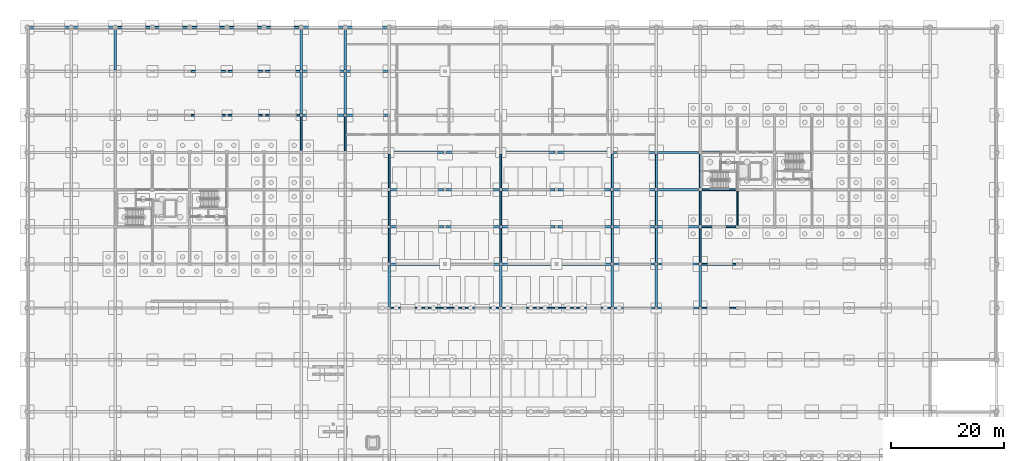
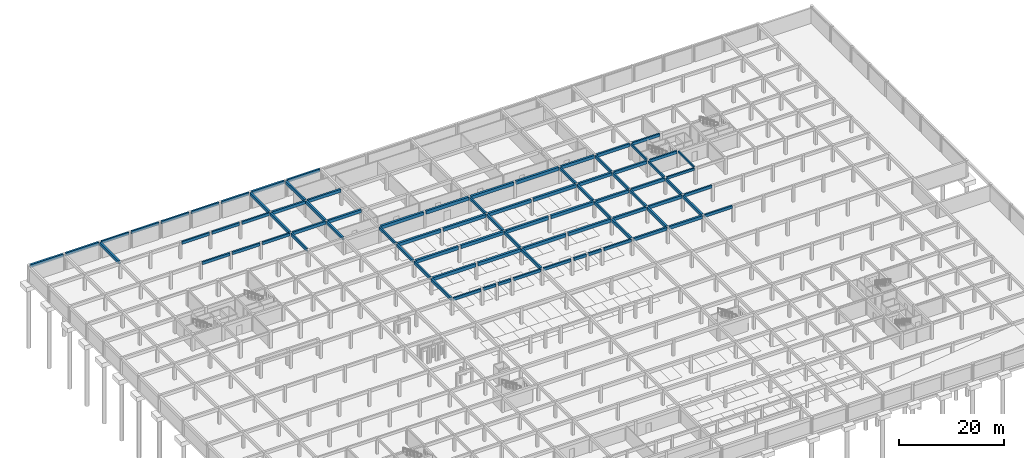
# One storey, part 19 of 37: 86 beams.
"""IFC4 building model written with IfcOpenShell, lengths in metres."""

from ifc_helpers import new_model, si_unit, direction, frame, origin, origin_2d, place, context, subcontext, project, spatial, rectangle, extrude, material, material_profile, profile_set, type_object, element, save


model = new_model("IFC4")

# Units and contexts
model_context = context("Model", 3, precision=1e-05, world=origin(), true_north=direction((0.0, 1.0)))
body_context = subcontext(model_context, "Body", "Model", "MODEL_VIEW")
ifc_project = project(units=[si_unit("LENGTHUNIT", "METRE"), si_unit("AREAUNIT", "SQUARE_METRE"), si_unit("VOLUMEUNIT", "CUBIC_METRE"), si_unit("PLANEANGLEUNIT", "RADIAN"), si_unit("MASSUNIT", "GRAM", prefix="KILO")], contexts=[model_context])

# Site, building, storey
site_placement = place(None, origin())
site = spatial("IfcSite", under=ifc_project, at=site_placement, CompositionType="ELEMENT")
building_placement = place(site_placement, origin())
building = spatial("IfcBuilding", under=site, at=building_placement, Name="Kernevlak Ridge Housing Community", CompositionType="ELEMENT")
storey_placement = place(building_placement, frame((0.0, 0.0, -3.800048828125)))
storey = spatial("IfcBuildingStorey", under=building, at=storey_placement, Name="B1", CompositionType="ELEMENT", Elevation=-3.800048828125)

# Beams
ifc_material = material(Name="Concrete C35/45", Category="concrete")
ifc_material_profile_1 = material_profile(ifc_material, rectangle(XDim=0.39990234375, YDim=0.699951171875, at=origin_2d()), Name="RC 400x700")
ifc_profile_set_1 = profile_set([ifc_material_profile_1], Name="Concrete C35/45")
beam_type_1 = type_object("IfcBeamType", Name="B-01", PredefinedType="BEAM", material=ifc_profile_set_1)
beam_1_placement = place(storey_placement, frame((104.074951171875, 68.199951171875, 3.449951171875), z_axis=(1.0, 0.0, 0.0), x_axis=(0.0, 1.0, 0.0)))
element("IfcBeam", 1, at=beam_1_placement, inside=storey, type_object=beam_type_1, Name="Beam B-01 B1 1729", PredefinedType="BEAM", context=body_context, shape_type="SweptSolid", body=[
    extrude(rectangle(XDim=0.39990234375, YDim=0.699951171875, at=origin_2d()), origin(), (0.0, 0.0, 1.0), 7.275146484375),
])
beam_2_placement = place(storey_placement, frame((111.85009765625, 68.199951171875, 3.449951171875), z_axis=(1.0, 0.0, 0.0), x_axis=(0.0, 1.0, 0.0)))
element("IfcBeam", 2, at=beam_2_placement, inside=storey, type_object=beam_type_1, Name="Beam B-01 B1 1730", PredefinedType="BEAM", context=body_context, shape_type="SweptSolid", body=[
    extrude(rectangle(XDim=0.39990234375, YDim=0.699951171875, at=origin_2d()), origin(), (0.0, 0.0, 1.0), 7.2998046875),
])
beam_3_placement = place(storey_placement, frame((104.050048828125, 76.0, 3.449951171875), z_axis=(1.0, 0.0, 0.0), x_axis=(0.0, 1.0, 0.0)))
element("IfcBeam", 3, at=beam_3_placement, inside=storey, type_object=beam_type_1, Name="Beam B-01 B1 1747", PredefinedType="BEAM", context=body_context, shape_type="SweptSolid", body=[
    extrude(rectangle(XDim=0.39990234375, YDim=0.699951171875, at=origin_2d()), origin(), (0.0, 0.0, 1.0), 7.300048828125),
])
beam_4_placement = place(storey_placement, frame((111.85009765625, 76.0, 3.449951171875), z_axis=(1.0, 0.0, 0.0), x_axis=(0.0, 1.0, 0.0)))
element("IfcBeam", 4, at=beam_4_placement, inside=storey, type_object=beam_type_1, Name="Beam B-01 B1 1748", PredefinedType="BEAM", context=body_context, shape_type="SweptSolid", body=[
    extrude(rectangle(XDim=0.39990234375, YDim=0.699951171875, at=origin_2d()), origin(), (0.0, 0.0, 1.0), 7.2998046875),
])
beam_5_placement = place(storey_placement, frame((104.050048828125, 82.60009765625, 3.449951171875), z_axis=(1.0, 0.0, 0.0), x_axis=(0.0, 1.0, 0.0)))
element("IfcBeam", 5, at=beam_5_placement, inside=storey, type_object=beam_type_1, Name="Beam B-01 B1 1763", PredefinedType="BEAM", context=body_context, shape_type="SweptSolid", body=[
    extrude(rectangle(XDim=0.39990234375, YDim=0.699951171875, at=origin_2d()), origin(), (0.0, 0.0, 1.0), 7.300048828125),
])
beam_6_placement = place(storey_placement, frame((111.85009765625, 82.60009765625, 3.449951171875), z_axis=(1.0, 0.0, 0.0), x_axis=(0.0, 1.0, 0.0)))
element("IfcBeam", 6, at=beam_6_placement, inside=storey, type_object=beam_type_1, Name="Beam B-01 B1 1764", PredefinedType="BEAM", context=body_context, shape_type="SweptSolid", body=[
    extrude(rectangle(XDim=0.39990234375, YDim=0.699951171875, at=origin_2d()), origin(), (0.0, 0.0, 1.0), 7.324951171875),
])
beam_7_placement = place(storey_placement, frame((104.050048828125, 89.199951171875, 3.449951171875), z_axis=(1.0, 0.0, 0.0), x_axis=(0.0, 1.0, 0.0)))
element("IfcBeam", 7, at=beam_7_placement, inside=storey, type_object=beam_type_1, Name="Beam B-01 B1 1774", PredefinedType="BEAM", context=body_context, shape_type="SweptSolid", body=[
    extrude(rectangle(XDim=0.39990234375, YDim=0.699951171875, at=origin_2d()), origin(), (0.0, 0.0, 1.0), 7.300048828125),
])
beam_8_placement = place(storey_placement, frame((111.85009765625, 89.199951171875, 3.449951171875), z_axis=(1.0, 0.0, 0.0), x_axis=(0.0, 1.0, 0.0)))
element("IfcBeam", 8, at=beam_8_placement, inside=storey, type_object=beam_type_1, Name="Beam B-01 B1 1775", PredefinedType="BEAM", context=body_context, shape_type="SweptSolid", body=[
    extrude(rectangle(XDim=0.39990234375, YDim=0.699951171875, at=origin_2d()), origin(), (0.0, 0.0, 1.0), 7.27490234375),
])
beam_9_placement = place(storey_placement, frame((104.050048828125, 95.800048828125, 3.449951171875), z_axis=(1.0, 0.0, 0.0), x_axis=(0.0, 1.0, 0.0)))
element("IfcBeam", 9, at=beam_9_placement, inside=storey, type_object=beam_type_1, Name="Beam B-01 B1 1785", PredefinedType="BEAM", context=body_context, shape_type="SweptSolid", body=[
    extrude(rectangle(XDim=0.39990234375, YDim=0.699951171875, at=origin_2d()), origin(), (0.0, 0.0, 1.0), 7.300048828125),
])
beam_10_placement = place(storey_placement, frame((111.85009765625, 95.800048828125, 3.449951171875), z_axis=(1.0, 0.0, 0.0), x_axis=(0.0, 1.0, 0.0)))
element("IfcBeam", 10, at=beam_10_placement, inside=storey, type_object=beam_type_1, Name="Beam B-01 B1 1786", PredefinedType="BEAM", context=body_context, shape_type="SweptSolid", body=[
    extrude(rectangle(XDim=0.39990234375, YDim=0.699951171875, at=origin_2d()), origin(), (0.0, 0.0, 1.0), 7.27490234375),
])
beam_11_placement = place(storey_placement, frame((48.85009765625, 102.39990234375, 3.449951171875), z_axis=(1.0, 0.0, 0.0), x_axis=(0.0, 1.0, 0.0)))
element("IfcBeam", 11, at=beam_11_placement, inside=storey, type_object=beam_type_1, Name="Beam B-01 B1 1795", PredefinedType="BEAM", context=body_context, shape_type="SweptSolid", body=[
    extrude(rectangle(XDim=0.39990234375, YDim=0.699951171875, at=origin_2d()), origin(), (0.0, 0.0, 1.0), 7.2998046875),
])
beam_12_placement = place(storey_placement, frame((56.64990234375, 102.39990234375, 3.449951171875), z_axis=(1.0, 0.0, 0.0), x_axis=(0.0, 1.0, 0.0)))
element("IfcBeam", 12, at=beam_12_placement, inside=storey, type_object=beam_type_1, Name="Beam B-01 B1 1796", PredefinedType="BEAM", context=body_context, shape_type="SweptSolid", body=[
    extrude(rectangle(XDim=0.39990234375, YDim=0.699951171875, at=origin_2d()), origin(), (0.0, 0.0, 1.0), 7.300048828125),
])
beam_13_placement = place(storey_placement, frame((48.85009765625, 110.199951171875, 3.449951171875), z_axis=(1.0, 0.0, 0.0), x_axis=(0.0, 1.0, 0.0)))
element("IfcBeam", 13, at=beam_13_placement, inside=storey, type_object=beam_type_1, Name="Beam B-01 B1 1811", PredefinedType="BEAM", context=body_context, shape_type="SweptSolid", body=[
    extrude(rectangle(XDim=0.39990234375, YDim=0.699951171875, at=origin_2d()), origin(), (0.0, 0.0, 1.0), 7.2998046875),
])
beam_14_placement = place(storey_placement, frame((56.64990234375, 110.199951171875, 3.449951171875), z_axis=(1.0, 0.0, 0.0), x_axis=(0.0, 1.0, 0.0)))
element("IfcBeam", 14, at=beam_14_placement, inside=storey, type_object=beam_type_1, Name="Beam B-01 B1 1812", PredefinedType="BEAM", context=body_context, shape_type="SweptSolid", body=[
    extrude(rectangle(XDim=0.39990234375, YDim=0.699951171875, at=origin_2d()), origin(), (0.0, 0.0, 1.0), 7.300048828125),
])
beam_15_placement = place(storey_placement, frame((0.35009765625, 118.0, 3.449951171875), z_axis=(1.0, 0.0, 0.0), x_axis=(0.0, 1.0, 0.0)))
element("IfcBeam", 15, at=beam_15_placement, inside=storey, type_object=beam_type_1, Name="Beam B-01 B1 1825", PredefinedType="BEAM", context=body_context, shape_type="SweptSolid", body=[
    extrude(rectangle(XDim=0.39990234375, YDim=0.699951171875, at=origin_2d()), origin(), (0.0, 0.0, 1.0), 7.14990234375),
])
beam_16_placement = place(storey_placement, frame((8.10009765625, 118.0, 3.449951171875), z_axis=(1.0, 0.0, 0.0), x_axis=(0.0, 1.0, 0.0)))
element("IfcBeam", 16, at=beam_16_placement, inside=storey, type_object=beam_type_1, Name="Beam B-01 B1 1826", PredefinedType="BEAM", context=body_context, shape_type="SweptSolid", body=[
    extrude(rectangle(XDim=0.39990234375, YDim=0.699951171875, at=origin_2d()), origin(), (0.0, 0.0, 1.0), 7.199951171875),
])
beam_17_placement = place(storey_placement, frame((48.89990234375, 118.0, 3.449951171875), z_axis=(1.0, 0.0, 0.0), x_axis=(0.0, 1.0, 0.0)))
element("IfcBeam", 17, at=beam_17_placement, inside=storey, type_object=beam_type_1, Name="Beam B-01 B1 1832", PredefinedType="BEAM", context=body_context, shape_type="SweptSolid", body=[
    extrude(rectangle(XDim=0.39990234375, YDim=0.699951171875, at=origin_2d()), origin(), (0.0, 0.0, 1.0), 7.2001953125),
])
beam_18_placement = place(storey_placement, frame((56.699951171875, 118.0, 3.449951171875), z_axis=(1.0, 0.0, 0.0), x_axis=(0.0, 1.0, 0.0)))
element("IfcBeam", 18, at=beam_18_placement, inside=storey, type_object=beam_type_1, Name="Beam B-01 B1 1833", PredefinedType="BEAM", context=body_context, shape_type="SweptSolid", body=[
    extrude(rectangle(XDim=0.39990234375, YDim=0.699951171875, at=origin_2d()), origin(), (0.0, 0.0, 1.0), 7.199951171875),
])
beam_19_placement = place(storey_placement, frame((15.60009765625, 110.449951171875, 3.449951171875), z_axis=(0.0, 1.0, 0.0), x_axis=(-1.0, 0.0, 0.0)))
element("IfcBeam", 19, at=beam_19_placement, inside=storey, type_object=beam_type_1, Name="Beam B-01 B1 1887", PredefinedType="BEAM", context=body_context, shape_type="SweptSolid", body=[
    extrude(rectangle(XDim=0.39990234375, YDim=0.699951171875, at=origin_2d()), origin(), (0.0, 0.0, 1.0), 7.25),
])
beam_20_placement = place(storey_placement, frame((48.60009765625, 102.64990234375, 3.449951171875), z_axis=(0.0, 1.0, 0.0), x_axis=(-1.0, 0.0, 0.0)))
element("IfcBeam", 20, at=beam_20_placement, inside=storey, type_object=beam_type_1, Name="Beam B-01 B1 1899", PredefinedType="BEAM", context=body_context, shape_type="SweptSolid", body=[
    extrude(rectangle(XDim=0.39990234375, YDim=0.699951171875, at=origin_2d()), origin(), (0.0, 0.0, 1.0), 7.300048828125),
])
beam_21_placement = place(storey_placement, frame((48.60009765625, 110.449951171875, 3.449951171875), z_axis=(0.0, 1.0, 0.0), x_axis=(-1.0, 0.0, 0.0)))
element("IfcBeam", 21, at=beam_21_placement, inside=storey, type_object=beam_type_1, Name="Beam B-01 B1 1900", PredefinedType="BEAM", context=body_context, shape_type="SweptSolid", body=[
    extrude(rectangle(XDim=0.39990234375, YDim=0.699951171875, at=origin_2d()), origin(), (0.0, 0.0, 1.0), 7.25),
])
beam_22_placement = place(storey_placement, frame((56.39990234375, 102.64990234375, 3.449951171875), z_axis=(0.0, 1.0, 0.0), x_axis=(-1.0, 0.0, 0.0)))
element("IfcBeam", 22, at=beam_22_placement, inside=storey, type_object=beam_type_1, Name="Beam B-01 B1 1915", PredefinedType="BEAM", context=body_context, shape_type="SweptSolid", body=[
    extrude(rectangle(XDim=0.39990234375, YDim=0.699951171875, at=origin_2d()), origin(), (0.0, 0.0, 1.0), 7.300048828125),
])
beam_23_placement = place(storey_placement, frame((56.39990234375, 110.449951171875, 3.449951171875), z_axis=(0.0, 1.0, 0.0), x_axis=(-1.0, 0.0, 0.0)))
element("IfcBeam", 23, at=beam_23_placement, inside=storey, type_object=beam_type_1, Name="Beam B-01 B1 1916", PredefinedType="BEAM", context=body_context, shape_type="SweptSolid", body=[
    extrude(rectangle(XDim=0.39990234375, YDim=0.699951171875, at=origin_2d()), origin(), (0.0, 0.0, 1.0), 7.25),
])
for number, where, z_axis, x_axis, name in (
    (24, (64.199951171875, 68.47509765625, 3.449951171875), (0.0, 1.0, 0.0), (-1.0, 0.0, 0.0), "Beam B-01 B1 1927"),
    (25, (84.0, 68.47509765625, 3.449951171875), (0.0, 1.0, 0.0), (-1.0, 0.0, 0.0), "Beam B-01 B1 1944"),
    (26, (103.800048828125, 68.47509765625, 3.449951171875), (0.0, 1.0, 0.0), (-1.0, 0.0, 0.0), "Beam B-01 B1 1961"),
):
    element("IfcBeam", number, at=place(storey_placement, frame(where, z_axis=z_axis, x_axis=x_axis)), inside=storey, type_object=beam_type_1, Name=name, PredefinedType="BEAM", context=body_context, shape_type="SweptSolid", body=[
        extrude(rectangle(XDim=0.39990234375, YDim=0.699951171875, at=origin_2d()), origin(), (0.0, 0.0, 1.0), 7.27490234375),
    ])
for number, where, z_axis, x_axis, name in (
    (27, (111.60009765625, 68.449951171875, 3.449951171875), (0.0, 1.0, 0.0), (-1.0, 0.0, 0.0), "Beam B-01 B1 1977"),
    (28, (119.39990234375, 68.449951171875, 3.449951171875), (0.0, 1.0, 0.0), (-1.0, 0.0, 0.0), "Beam B-01 B1 1993"),
):
    element("IfcBeam", number, at=place(storey_placement, frame(where, z_axis=z_axis, x_axis=x_axis)), inside=storey, type_object=beam_type_1, Name=name, PredefinedType="BEAM", context=body_context, shape_type="SweptSolid", body=[
        extrude(rectangle(XDim=0.39990234375, YDim=0.699951171875, at=origin_2d()), origin(), (0.0, 0.0, 1.0), 7.300048828125),
    ])
ifc_material_profile_2 = material_profile(ifc_material, rectangle(XDim=0.35009765625, YDim=0.64990234375, at=origin_2d()), Name="RC 350x650")
ifc_profile_set_2 = profile_set([ifc_material_profile_2], Name="Concrete C35/45")
beam_type_2 = type_object("IfcBeamType", Name="B-02", PredefinedType="BEAM", material=ifc_profile_set_2)
for number, where, z_axis, x_axis, name in (
    (29, (119.675048828125, 89.199951171875, 3.47509765625), (1.0, 0.0, 0.0), (0.0, 1.0, 0.0), "Beam B-02 B1 526"),
    (30, (119.675048828125, 95.800048828125, 3.47509765625), (1.0, 0.0, 0.0), (0.0, 1.0, 0.0), "Beam B-02 B1 531"),
):
    element("IfcBeam", number, at=place(storey_placement, frame(where, z_axis=z_axis, x_axis=x_axis)), inside=storey, type_object=beam_type_2, Name=name, PredefinedType="BEAM", context=body_context, shape_type="SweptSolid", body=[
        extrude(rectangle(XDim=0.35009765625, YDim=0.64990234375, at=origin_2d()), origin(), (0.0, 0.0, 1.0), 6.050048828125),
    ])
beam_24_placement = place(storey_placement, frame((64.47509765625, 68.199951171875, 3.47509765625), z_axis=(1.0, 0.0, 0.0), x_axis=(0.0, 1.0, 0.0)))
element("IfcBeam", 31, at=beam_24_placement, inside=storey, type_object=beam_type_2, Name="Beam B-02 B1 1721", PredefinedType="BEAM", context=body_context, shape_type="SweptSolid", body=[
    extrude(rectangle(XDim=0.35009765625, YDim=0.64990234375, at=origin_2d()), origin(), (0.0, 0.0, 1.0), 6.0498046875),
])
beam_25_placement = place(storey_placement, frame((71.074951171875, 68.199951171875, 3.47509765625), z_axis=(1.0, 0.0, 0.0), x_axis=(0.0, 1.0, 0.0)))
element("IfcBeam", 32, at=beam_25_placement, inside=storey, type_object=beam_type_2, Name="Beam B-02 B1 1722", PredefinedType="BEAM", context=body_context, shape_type="SweptSolid", body=[
    extrude(rectangle(XDim=0.35009765625, YDim=0.64990234375, at=origin_2d()), origin(), (0.0, 0.0, 1.0), 2.775146484375),
])
beam_26_placement = place(storey_placement, frame((74.35009765625, 68.199951171875, 3.47509765625), z_axis=(1.0, 0.0, 0.0), x_axis=(0.0, 1.0, 0.0)))
element("IfcBeam", 33, at=beam_26_placement, inside=storey, type_object=beam_type_2, Name="Beam B-02 B1 1723", PredefinedType="BEAM", context=body_context, shape_type="SweptSolid", body=[
    extrude(rectangle(XDim=0.35009765625, YDim=0.64990234375, at=origin_2d()), origin(), (0.0, 0.0, 1.0), 2.77490234375),
])
for number, where, z_axis, x_axis, name in (
    (34, (77.675048828125, 68.199951171875, 3.47509765625), (1.0, 0.0, 0.0), (0.0, 1.0, 0.0), "Beam B-02 B1 1724"),
    (35, (84.27490234375, 68.199951171875, 3.47509765625), (1.0, 0.0, 0.0), (0.0, 1.0, 0.0), "Beam B-02 B1 1725"),
):
    element("IfcBeam", number, at=place(storey_placement, frame(where, z_axis=z_axis, x_axis=x_axis)), inside=storey, type_object=beam_type_2, Name=name, PredefinedType="BEAM", context=body_context, shape_type="SweptSolid", body=[
        extrude(rectangle(XDim=0.35009765625, YDim=0.64990234375, at=origin_2d()), origin(), (0.0, 0.0, 1.0), 6.050048828125),
    ])
beam_27_placement = place(storey_placement, frame((90.875, 68.199951171875, 3.47509765625), z_axis=(1.0, 0.0, 0.0), x_axis=(0.0, 1.0, 0.0)))
element("IfcBeam", 36, at=beam_27_placement, inside=storey, type_object=beam_type_2, Name="Beam B-02 B1 1726", PredefinedType="BEAM", context=body_context, shape_type="SweptSolid", body=[
    extrude(rectangle(XDim=0.35009765625, YDim=0.64990234375, at=origin_2d()), origin(), (0.0, 0.0, 1.0), 2.77490234375),
])
beam_28_placement = place(storey_placement, frame((94.14990234375, 68.199951171875, 3.47509765625), z_axis=(1.0, 0.0, 0.0), x_axis=(0.0, 1.0, 0.0)))
element("IfcBeam", 37, at=beam_28_placement, inside=storey, type_object=beam_type_2, Name="Beam B-02 B1 1727", PredefinedType="BEAM", context=body_context, shape_type="SweptSolid", body=[
    extrude(rectangle(XDim=0.35009765625, YDim=0.64990234375, at=origin_2d()), origin(), (0.0, 0.0, 1.0), 2.775146484375),
])
beam_29_placement = place(storey_placement, frame((97.47509765625, 68.199951171875, 3.47509765625), z_axis=(1.0, 0.0, 0.0), x_axis=(0.0, 1.0, 0.0)))
element("IfcBeam", 38, at=beam_29_placement, inside=storey, type_object=beam_type_2, Name="Beam B-02 B1 1728", PredefinedType="BEAM", context=body_context, shape_type="SweptSolid", body=[
    extrude(rectangle(XDim=0.35009765625, YDim=0.64990234375, at=origin_2d()), origin(), (0.0, 0.0, 1.0), 6.0498046875),
])
for number, where, z_axis, x_axis, name in (
    (39, (119.64990234375, 68.199951171875, 3.47509765625), (1.0, 0.0, 0.0), (0.0, 1.0, 0.0), "Beam B-02 B1 1731"),
    (40, (119.64990234375, 76.0, 3.47509765625), (1.0, 0.0, 0.0), (0.0, 1.0, 0.0), "Beam B-02 B1 1749"),
):
    element("IfcBeam", number, at=place(storey_placement, frame(where, z_axis=z_axis, x_axis=x_axis)), inside=storey, type_object=beam_type_2, Name=name, PredefinedType="BEAM", context=body_context, shape_type="SweptSolid", body=[
        extrude(rectangle(XDim=0.35009765625, YDim=0.64990234375, at=origin_2d()), origin(), (0.0, 0.0, 1.0), 6.10009765625),
    ])
beam_30_placement = place(storey_placement, frame((29.050048828125, 102.39990234375, 3.47509765625), z_axis=(1.0, 0.0, 0.0), x_axis=(0.0, 1.0, 0.0)))
element("IfcBeam", 41, at=beam_30_placement, inside=storey, type_object=beam_type_2, Name="Beam B-02 B1 1792", PredefinedType="BEAM", context=body_context, shape_type="SweptSolid", body=[
    extrude(rectangle(XDim=0.35009765625, YDim=0.64990234375, at=origin_2d()), origin(), (0.0, 0.0, 1.0), 6.099853515625),
])
for number, where, z_axis, x_axis, name in (
    (42, (35.64990234375, 102.39990234375, 3.47509765625), (1.0, 0.0, 0.0), (0.0, 1.0, 0.0), "Beam B-02 B1 1793"),
    (43, (42.25, 102.39990234375, 3.47509765625), (1.0, 0.0, 0.0), (0.0, 1.0, 0.0), "Beam B-02 B1 1794"),
):
    element("IfcBeam", number, at=place(storey_placement, frame(where, z_axis=z_axis, x_axis=x_axis)), inside=storey, type_object=beam_type_2, Name=name, PredefinedType="BEAM", context=body_context, shape_type="SweptSolid", body=[
        extrude(rectangle(XDim=0.35009765625, YDim=0.64990234375, at=origin_2d()), origin(), (0.0, 0.0, 1.0), 6.10009765625),
    ])
beam_31_placement = place(storey_placement, frame((29.050048828125, 110.199951171875, 3.47509765625), z_axis=(1.0, 0.0, 0.0), x_axis=(0.0, 1.0, 0.0)))
element("IfcBeam", 44, at=beam_31_placement, inside=storey, type_object=beam_type_2, Name="Beam B-02 B1 1808", PredefinedType="BEAM", context=body_context, shape_type="SweptSolid", body=[
    extrude(rectangle(XDim=0.35009765625, YDim=0.64990234375, at=origin_2d()), origin(), (0.0, 0.0, 1.0), 6.099853515625),
])
for number, where, z_axis, x_axis, name in (
    (45, (35.64990234375, 110.199951171875, 3.47509765625), (1.0, 0.0, 0.0), (0.0, 1.0, 0.0), "Beam B-02 B1 1809"),
    (46, (42.25, 110.199951171875, 3.47509765625), (1.0, 0.0, 0.0), (0.0, 1.0, 0.0), "Beam B-02 B1 1810"),
):
    element("IfcBeam", number, at=place(storey_placement, frame(where, z_axis=z_axis, x_axis=x_axis)), inside=storey, type_object=beam_type_2, Name=name, PredefinedType="BEAM", context=body_context, shape_type="SweptSolid", body=[
        extrude(rectangle(XDim=0.35009765625, YDim=0.64990234375, at=origin_2d()), origin(), (0.0, 0.0, 1.0), 6.10009765625),
    ])
for number, where, z_axis, x_axis, name in (
    (47, (15.89990234375, 118.0, 3.47509765625), (1.0, 0.0, 0.0), (0.0, 1.0, 0.0), "Beam B-02 B1 1827"),
    (48, (22.5, 118.0, 3.47509765625), (1.0, 0.0, 0.0), (0.0, 1.0, 0.0), "Beam B-02 B1 1828"),
    (49, (29.10009765625, 118.0, 3.47509765625), (1.0, 0.0, 0.0), (0.0, 1.0, 0.0), "Beam B-02 B1 1829"),
    (50, (35.699951171875, 118.0, 3.47509765625), (1.0, 0.0, 0.0), (0.0, 1.0, 0.0), "Beam B-02 B1 1830"),
    (51, (42.300048828125, 118.0, 3.47509765625), (1.0, 0.0, 0.0), (0.0, 1.0, 0.0), "Beam B-02 B1 1831"),
):
    element("IfcBeam", number, at=place(storey_placement, frame(where, z_axis=z_axis, x_axis=x_axis)), inside=storey, type_object=beam_type_2, Name=name, PredefinedType="BEAM", context=body_context, shape_type="SweptSolid", body=[
        extrude(rectangle(XDim=0.35009765625, YDim=0.64990234375, at=origin_2d()), origin(), (0.0, 0.0, 1.0), 6.0),
    ])
beam_32_placement = place(storey_placement, frame((48.60009765625, 96.175048828125, 3.47509765625), z_axis=(0.0, 1.0, 0.0), x_axis=(-1.0, 0.0, 0.0)))
element("IfcBeam", 52, at=beam_32_placement, inside=storey, type_object=beam_type_2, Name="Beam B-02 B1 1898", PredefinedType="BEAM", context=body_context, shape_type="SweptSolid", body=[
    extrude(rectangle(XDim=0.35009765625, YDim=0.64990234375, at=origin_2d()), origin(), (0.0, 0.0, 1.0), 5.974853515625),
])
beam_33_placement = place(storey_placement, frame((56.39990234375, 96.050048828125, 3.47509765625), z_axis=(0.0, 1.0, 0.0), x_axis=(-1.0, 0.0, 0.0)))
element("IfcBeam", 53, at=beam_33_placement, inside=storey, type_object=beam_type_2, Name="Beam B-02 B1 1914", PredefinedType="BEAM", context=body_context, shape_type="SweptSolid", body=[
    extrude(rectangle(XDim=0.35009765625, YDim=0.64990234375, at=origin_2d()), origin(), (0.0, 0.0, 1.0), 6.099853515625),
])
beam_34_placement = place(storey_placement, frame((64.199951171875, 76.25, 3.47509765625), z_axis=(0.0, 1.0, 0.0), x_axis=(-1.0, 0.0, 0.0)))
element("IfcBeam", 54, at=beam_34_placement, inside=storey, type_object=beam_type_2, Name="Beam B-02 B1 1928", PredefinedType="BEAM", context=body_context, shape_type="SweptSolid", body=[
    extrude(rectangle(XDim=0.35009765625, YDim=0.64990234375, at=origin_2d()), origin(), (0.0, 0.0, 1.0), 6.10009765625),
])
beam_35_placement = place(storey_placement, frame((64.199951171875, 82.85009765625, 3.47509765625), z_axis=(0.0, 1.0, 0.0), x_axis=(-1.0, 0.0, 0.0)))
element("IfcBeam", 55, at=beam_35_placement, inside=storey, type_object=beam_type_2, Name="Beam B-02 B1 1929", PredefinedType="BEAM", context=body_context, shape_type="SweptSolid", body=[
    extrude(rectangle(XDim=0.35009765625, YDim=0.64990234375, at=origin_2d()), origin(), (0.0, 0.0, 1.0), 6.099853515625),
])
for number, where, z_axis, x_axis, name in (
    (56, (64.199951171875, 89.449951171875, 3.47509765625), (0.0, 1.0, 0.0), (-1.0, 0.0, 0.0), "Beam B-02 B1 1930"),
    (57, (84.0, 76.25, 3.47509765625), (0.0, 1.0, 0.0), (-1.0, 0.0, 0.0), "Beam B-02 B1 1945"),
):
    element("IfcBeam", number, at=place(storey_placement, frame(where, z_axis=z_axis, x_axis=x_axis)), inside=storey, type_object=beam_type_2, Name=name, PredefinedType="BEAM", context=body_context, shape_type="SweptSolid", body=[
        extrude(rectangle(XDim=0.35009765625, YDim=0.64990234375, at=origin_2d()), origin(), (0.0, 0.0, 1.0), 6.10009765625),
    ])
beam_36_placement = place(storey_placement, frame((84.0, 82.85009765625, 3.47509765625), z_axis=(0.0, 1.0, 0.0), x_axis=(-1.0, 0.0, 0.0)))
element("IfcBeam", 58, at=beam_36_placement, inside=storey, type_object=beam_type_2, Name="Beam B-02 B1 1946", PredefinedType="BEAM", context=body_context, shape_type="SweptSolid", body=[
    extrude(rectangle(XDim=0.35009765625, YDim=0.64990234375, at=origin_2d()), origin(), (0.0, 0.0, 1.0), 6.099853515625),
])
for number, where, z_axis, x_axis, name in (
    (59, (84.0, 89.449951171875, 3.47509765625), (0.0, 1.0, 0.0), (-1.0, 0.0, 0.0), "Beam B-02 B1 1947"),
    (60, (103.800048828125, 76.25, 3.47509765625), (0.0, 1.0, 0.0), (-1.0, 0.0, 0.0), "Beam B-02 B1 1962"),
):
    element("IfcBeam", number, at=place(storey_placement, frame(where, z_axis=z_axis, x_axis=x_axis)), inside=storey, type_object=beam_type_2, Name=name, PredefinedType="BEAM", context=body_context, shape_type="SweptSolid", body=[
        extrude(rectangle(XDim=0.35009765625, YDim=0.64990234375, at=origin_2d()), origin(), (0.0, 0.0, 1.0), 6.10009765625),
    ])
beam_37_placement = place(storey_placement, frame((103.800048828125, 82.85009765625, 3.47509765625), z_axis=(0.0, 1.0, 0.0), x_axis=(-1.0, 0.0, 0.0)))
element("IfcBeam", 61, at=beam_37_placement, inside=storey, type_object=beam_type_2, Name="Beam B-02 B1 1963", PredefinedType="BEAM", context=body_context, shape_type="SweptSolid", body=[
    extrude(rectangle(XDim=0.35009765625, YDim=0.64990234375, at=origin_2d()), origin(), (0.0, 0.0, 1.0), 6.099853515625),
])
for number, where, z_axis, x_axis, name in (
    (62, (103.800048828125, 89.449951171875, 3.47509765625), (0.0, 1.0, 0.0), (-1.0, 0.0, 0.0), "Beam B-02 B1 1964"),
    (63, (111.60009765625, 76.25, 3.47509765625), (0.0, 1.0, 0.0), (-1.0, 0.0, 0.0), "Beam B-02 B1 1978"),
):
    element("IfcBeam", number, at=place(storey_placement, frame(where, z_axis=z_axis, x_axis=x_axis)), inside=storey, type_object=beam_type_2, Name=name, PredefinedType="BEAM", context=body_context, shape_type="SweptSolid", body=[
        extrude(rectangle(XDim=0.35009765625, YDim=0.64990234375, at=origin_2d()), origin(), (0.0, 0.0, 1.0), 6.10009765625),
    ])
beam_38_placement = place(storey_placement, frame((111.60009765625, 82.85009765625, 3.47509765625), z_axis=(0.0, 1.0, 0.0), x_axis=(-1.0, 0.0, 0.0)))
element("IfcBeam", 64, at=beam_38_placement, inside=storey, type_object=beam_type_2, Name="Beam B-02 B1 1979", PredefinedType="BEAM", context=body_context, shape_type="SweptSolid", body=[
    extrude(rectangle(XDim=0.35009765625, YDim=0.64990234375, at=origin_2d()), origin(), (0.0, 0.0, 1.0), 6.099853515625),
])
beam_39_placement = place(storey_placement, frame((111.60009765625, 89.449951171875, 3.47509765625), z_axis=(0.0, 1.0, 0.0), x_axis=(-1.0, 0.0, 0.0)))
element("IfcBeam", 65, at=beam_39_placement, inside=storey, type_object=beam_type_2, Name="Beam B-02 B1 1980", PredefinedType="BEAM", context=body_context, shape_type="SweptSolid", body=[
    extrude(rectangle(XDim=0.35009765625, YDim=0.64990234375, at=origin_2d()), origin(), (0.0, 0.0, 1.0), 6.10009765625),
])
beam_40_placement = place(storey_placement, frame((119.39990234375, 76.25, 3.47509765625), z_axis=(0.0, 1.0, 0.0), x_axis=(-1.0, 0.0, 0.0)))
element("IfcBeam", 66, at=beam_40_placement, inside=storey, type_object=beam_type_2, Name="Beam B-02 B1 1994", PredefinedType="BEAM", context=body_context, shape_type="SweptSolid", body=[
    extrude(rectangle(XDim=0.35009765625, YDim=0.64990234375, at=origin_2d()), origin(), (0.0, 0.0, 1.0), 6.02490234375),
])
ifc_material_profile_3 = material_profile(ifc_material, rectangle(XDim=0.25, YDim=0.449951171875, at=origin_2d()), Name="RC 250x450")
ifc_profile_set_3 = profile_set([ifc_material_profile_3], Name="Concrete C35/45")
beam_type_3 = type_object("IfcBeamType", Name="B-04", PredefinedType="T_BEAM", material=ifc_profile_set_3)
beam_41_placement = place(storey_placement, frame((126.0, 82.875, 3.574951171875), z_axis=(0.0, 1.0, 0.0), x_axis=(-1.0, 0.0, 0.0)))
element("IfcBeam", 67, at=beam_41_placement, inside=storey, type_object=beam_type_3, Name="Beam B-04 B1 544", PredefinedType="T_BEAM", context=body_context, shape_type="SweptSolid", body=[
    extrude(rectangle(XDim=0.25, YDim=0.449951171875, at=origin_2d()), origin(), (0.0, 0.0, 1.0), 6.050048828125),
])
ifc_material_profile_4 = material_profile(ifc_material, rectangle(XDim=0.449951171875, YDim=0.75, at=origin_2d()), Name="RC 450x750")
ifc_profile_set_4 = profile_set([ifc_material_profile_4], Name="Concrete C35/45")
beam_type_4 = type_object("IfcBeamType", Name="B-05", PredefinedType="BEAM", material=ifc_profile_set_4)
beam_42_placement = place(storey_placement, frame((64.449951171875, 76.0, 3.425048828125), z_axis=(1.0, 0.0, 0.0), x_axis=(0.0, 1.0, 0.0)))
element("IfcBeam", 68, at=beam_42_placement, inside=storey, type_object=beam_type_4, Name="Beam B-05 B1 1743", PredefinedType="BEAM", context=body_context, shape_type="SweptSolid", body=[
    extrude(rectangle(XDim=0.449951171875, YDim=0.75, at=origin_2d()), origin(), (0.0, 0.0, 1.0), 9.400146484375),
])
for number, where, z_axis, x_axis, name in (
    (69, (74.35009765625, 76.0, 3.425048828125), (1.0, 0.0, 0.0), (0.0, 1.0, 0.0), "Beam B-05 B1 1744"),
    (70, (84.25, 76.0, 3.425048828125), (1.0, 0.0, 0.0), (0.0, 1.0, 0.0), "Beam B-05 B1 1745"),
):
    element("IfcBeam", number, at=place(storey_placement, frame(where, z_axis=z_axis, x_axis=x_axis)), inside=storey, type_object=beam_type_4, Name=name, PredefinedType="BEAM", context=body_context, shape_type="SweptSolid", body=[
        extrude(rectangle(XDim=0.449951171875, YDim=0.75, at=origin_2d()), origin(), (0.0, 0.0, 1.0), 9.39990234375),
    ])
for number, where, z_axis, x_axis, name in (
    (71, (94.14990234375, 76.0, 3.425048828125), (1.0, 0.0, 0.0), (0.0, 1.0, 0.0), "Beam B-05 B1 1746"),
    (72, (64.449951171875, 82.60009765625, 3.425048828125), (1.0, 0.0, 0.0), (0.0, 1.0, 0.0), "Beam B-05 B1 1759"),
):
    element("IfcBeam", number, at=place(storey_placement, frame(where, z_axis=z_axis, x_axis=x_axis)), inside=storey, type_object=beam_type_4, Name=name, PredefinedType="BEAM", context=body_context, shape_type="SweptSolid", body=[
        extrude(rectangle(XDim=0.449951171875, YDim=0.75, at=origin_2d()), origin(), (0.0, 0.0, 1.0), 9.400146484375),
    ])
for number, where, z_axis, x_axis, name in (
    (73, (74.35009765625, 82.60009765625, 3.425048828125), (1.0, 0.0, 0.0), (0.0, 1.0, 0.0), "Beam B-05 B1 1760"),
    (74, (84.25, 82.60009765625, 3.425048828125), (1.0, 0.0, 0.0), (0.0, 1.0, 0.0), "Beam B-05 B1 1761"),
):
    element("IfcBeam", number, at=place(storey_placement, frame(where, z_axis=z_axis, x_axis=x_axis)), inside=storey, type_object=beam_type_4, Name=name, PredefinedType="BEAM", context=body_context, shape_type="SweptSolid", body=[
        extrude(rectangle(XDim=0.449951171875, YDim=0.75, at=origin_2d()), origin(), (0.0, 0.0, 1.0), 9.39990234375),
    ])
for number, where, z_axis, x_axis, name in (
    (75, (94.14990234375, 82.60009765625, 3.425048828125), (1.0, 0.0, 0.0), (0.0, 1.0, 0.0), "Beam B-05 B1 1762"),
    (76, (64.449951171875, 89.199951171875, 3.425048828125), (1.0, 0.0, 0.0), (0.0, 1.0, 0.0), "Beam B-05 B1 1770"),
):
    element("IfcBeam", number, at=place(storey_placement, frame(where, z_axis=z_axis, x_axis=x_axis)), inside=storey, type_object=beam_type_4, Name=name, PredefinedType="BEAM", context=body_context, shape_type="SweptSolid", body=[
        extrude(rectangle(XDim=0.449951171875, YDim=0.75, at=origin_2d()), origin(), (0.0, 0.0, 1.0), 9.400146484375),
    ])
for number, where, z_axis, x_axis, name in (
    (77, (74.35009765625, 89.199951171875, 3.425048828125), (1.0, 0.0, 0.0), (0.0, 1.0, 0.0), "Beam B-05 B1 1771"),
    (78, (84.25, 89.199951171875, 3.425048828125), (1.0, 0.0, 0.0), (0.0, 1.0, 0.0), "Beam B-05 B1 1772"),
):
    element("IfcBeam", number, at=place(storey_placement, frame(where, z_axis=z_axis, x_axis=x_axis)), inside=storey, type_object=beam_type_4, Name=name, PredefinedType="BEAM", context=body_context, shape_type="SweptSolid", body=[
        extrude(rectangle(XDim=0.449951171875, YDim=0.75, at=origin_2d()), origin(), (0.0, 0.0, 1.0), 9.39990234375),
    ])
for number, where, z_axis, x_axis, name in (
    (79, (94.14990234375, 89.199951171875, 3.425048828125), (1.0, 0.0, 0.0), (0.0, 1.0, 0.0), "Beam B-05 B1 1773"),
    (80, (64.449951171875, 95.800048828125, 3.425048828125), (1.0, 0.0, 0.0), (0.0, 1.0, 0.0), "Beam B-05 B1 1781"),
):
    element("IfcBeam", number, at=place(storey_placement, frame(where, z_axis=z_axis, x_axis=x_axis)), inside=storey, type_object=beam_type_4, Name=name, PredefinedType="BEAM", context=body_context, shape_type="SweptSolid", body=[
        extrude(rectangle(XDim=0.449951171875, YDim=0.75, at=origin_2d()), origin(), (0.0, 0.0, 1.0), 9.400146484375),
    ])
for number, where, z_axis, x_axis, name in (
    (81, (74.35009765625, 95.800048828125, 3.425048828125), (1.0, 0.0, 0.0), (0.0, 1.0, 0.0), "Beam B-05 B1 1782"),
    (82, (84.25, 95.800048828125, 3.425048828125), (1.0, 0.0, 0.0), (0.0, 1.0, 0.0), "Beam B-05 B1 1783"),
):
    element("IfcBeam", number, at=place(storey_placement, frame(where, z_axis=z_axis, x_axis=x_axis)), inside=storey, type_object=beam_type_4, Name=name, PredefinedType="BEAM", context=body_context, shape_type="SweptSolid", body=[
        extrude(rectangle(XDim=0.449951171875, YDim=0.75, at=origin_2d()), origin(), (0.0, 0.0, 1.0), 9.39990234375),
    ])
beam_43_placement = place(storey_placement, frame((94.14990234375, 95.800048828125, 3.425048828125), z_axis=(1.0, 0.0, 0.0), x_axis=(0.0, 1.0, 0.0)))
element("IfcBeam", 83, at=beam_43_placement, inside=storey, type_object=beam_type_4, Name="Beam B-05 B1 1784", PredefinedType="BEAM", context=body_context, shape_type="SweptSolid", body=[
    extrude(rectangle(XDim=0.449951171875, YDim=0.75, at=origin_2d()), origin(), (0.0, 0.0, 1.0), 9.400146484375),
])
ifc_material_profile_5 = material_profile(ifc_material, rectangle(XDim=0.300048828125, YDim=0.550048828125, at=origin_2d()), Name="RC 300x550")
ifc_profile_set_5 = profile_set([ifc_material_profile_5], Name="Concrete C35/45")
beam_type_5 = type_object("IfcBeamType", Name="SP-01", PredefinedType="SPANDREL", material=ifc_profile_set_5)
beam_44_placement = place(storey_placement, frame((119.625, 82.60009765625, 3.525146484375), z_axis=(1.0, 0.0, 0.0), x_axis=(0.0, 1.0, 0.0)))
element("IfcBeam", 84, at=beam_44_placement, inside=storey, type_object=beam_type_5, Name="Beam SP-01 B1 521", PredefinedType="SPANDREL", context=body_context, shape_type="SweptSolid", body=[
    extrude(rectangle(XDim=0.300048828125, YDim=0.550048828125, at=origin_2d()), origin(), (0.0, 0.0, 1.0), 6.10009765625),
])
beam_45_placement = place(storey_placement, frame((119.39990234375, 82.925048828125, 3.525146484375), z_axis=(0.0, 1.0, 0.0), x_axis=(-1.0, 0.0, 0.0)))
element("IfcBeam", 85, at=beam_45_placement, inside=storey, type_object=beam_type_5, Name="Beam SP-01 B1 541", PredefinedType="SPANDREL", context=body_context, shape_type="SweptSolid", body=[
    extrude(rectangle(XDim=0.300048828125, YDim=0.550048828125, at=origin_2d()), origin(), (0.0, 0.0, 1.0), 6.0),
])
beam_46_placement = place(storey_placement, frame((119.39990234375, 89.47509765625, 3.525146484375), z_axis=(0.0, 1.0, 0.0), x_axis=(-1.0, 0.0, 0.0)))
element("IfcBeam", 86, at=beam_46_placement, inside=storey, type_object=beam_type_5, Name="Beam SP-01 B1 542", PredefinedType="SPANDREL", context=body_context, shape_type="SweptSolid", body=[
    extrude(rectangle(XDim=0.300048828125, YDim=0.550048828125, at=origin_2d()), origin(), (0.0, 0.0, 1.0), 6.0498046875),
])

save(model, "model.ifc")
